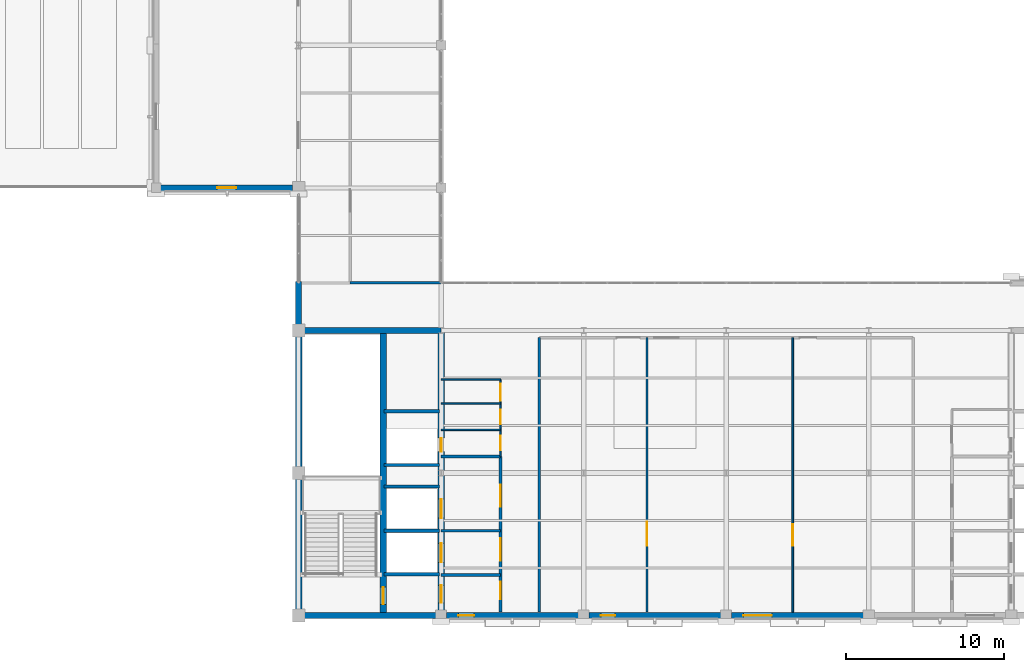
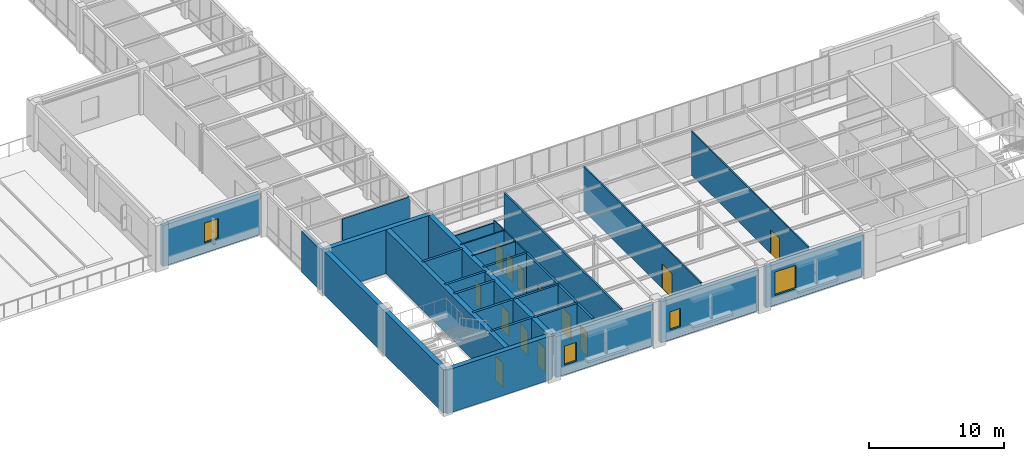
# One storey, part 80 of 97: 27 walls, 13 doors, 4 windows, 17 openings.
"""IFC4 building model written with IfcOpenShell, lengths in metres."""

from ifc_helpers import new_model, si_unit, direction, frame, frame_2d, origin, place, context, subcontext, project, spatial, rectangle, extrude, material, layer, layer_set, type_object, element, fill, save


model = new_model("IFC4")

# Units and contexts
model_context = context("Model", 3, precision=1e-05, world=origin(), true_north=direction((0.0, 1.0)))
body_context = subcontext(model_context, "Body", "Model", "MODEL_VIEW")
ifc_project = project(units=[si_unit("LENGTHUNIT", "METRE"), si_unit("AREAUNIT", "SQUARE_METRE"), si_unit("VOLUMEUNIT", "CUBIC_METRE"), si_unit("PLANEANGLEUNIT", "RADIAN"), si_unit("MASSUNIT", "GRAM", prefix="KILO")], contexts=[model_context])

# Site, building, storey
site_placement = place(None, origin())
site = spatial("IfcSite", under=ifc_project, at=site_placement, CompositionType="ELEMENT")
building_placement = place(site_placement, origin())
building = spatial("IfcBuilding", under=site, at=building_placement, Name="Lykobir Media Centre", CompositionType="ELEMENT")
storey_placement = place(building_placement, frame((0.0, 0.0, 23.39990234375)))
storey = spatial("IfcBuildingStorey", under=building, at=storey_placement, Name="L05", CompositionType="ELEMENT", Elevation=23.39990234375)

# Wall, opening, window
ifc_material_1 = material(Name="Architectural Ochre Brick", Category="masonry")
ifc_layer_1 = layer(ifc_material_1, 0.360107421875, Name="Architectural Ochre Brick")
ifc_layer_set_1 = layer_set([ifc_layer_1], Name="Architectural Ochre Brick")
wall_type_1 = type_object("IfcWallType", Name="EW-BRK-360", PredefinedType="STANDARD", material=ifc_layer_set_1)
wall_1_placement = place(storey_placement, frame((18.284912109375, 27.0, 0.0), z_axis=(0.0, 0.0, 1.0), x_axis=(1.0, 0.0, 0.0)))
wall_1 = element("IfcWall", 1, at=wall_1_placement, inside=storey, type_object=wall_type_1, Name="Exterior wall WALL-L05-0340", PredefinedType="STANDARD", context=body_context, shape_type="SweptSolid", body=[
    extrude(rectangle(XDim=8.330078125, YDim=0.360107421875, at=frame_2d((4.1650390625, 0.0))), origin(), (0.0, 0.0, 1.0), 3.715087890625),
])
opening_1_placement = place(wall_1_placement, frame((3.56494140625, 0.0, 0.89990234375)))
opening_1 = element("IfcOpeningElement", 2, at=opening_1_placement, cuts=wall_1, Name="Opening WN-1200x1800", PredefinedType="OPENING", context=body_context, shape_type="SweptSolid", body=[
    extrude(rectangle(XDim=1.199951171875, YDim=1.800048828125, at=frame_2d((0.60009765625, 0.89990234375))), frame((0.0, 0.18994140625, 0.0), z_axis=(0.0, -1.0, 0.0), x_axis=(1.0, 0.0, 0.0)), (0.0, 0.0, 1.0), 0.380126953125),
])
ifc_material_2 = material(Name="Low-E Laminated Triple Glazing", Category="glass")
window_type_1 = type_object("IfcWindowType", Name="WN-1200x1800", PartitioningType="SINGLE_PANEL", PredefinedType="WINDOW", material=ifc_material_2)
window_1_placement = place(opening_1_placement, origin())
window_1 = element("IfcWindow", 3, at=window_1_placement, inside=storey, type_object=window_type_1, Name="Window WIN-L05-0148", OverallHeight=1.800048828125, OverallWidth=1.199951171875, PartitioningType="SINGLE_PANEL", PredefinedType="WINDOW", context=body_context, shape_type="SweptSolid", body=[
    extrude(rectangle(XDim=1.199951171875, YDim=1.800048828125, at=frame_2d((0.60009765625, 0.89990234375))), frame((0.0, 0.030029296875, 0.0), z_axis=(0.0, -1.0, 0.0), x_axis=(1.0, 0.0, 0.0)), (0.0, 0.0, 1.0), 0.06005859375),
])
fill(opening_1, window_1)

# Wall
wall_2_placement = place(storey_placement, frame((27.0, 21.074951171875, 0.0), z_axis=(0.0, 0.0, 1.0), x_axis=(0.0, -1.0, 0.0)))
element("IfcWall", 4, at=wall_2_placement, inside=storey, type_object=wall_type_1, Name="Exterior wall WALL-L05-0341", PredefinedType="STANDARD", context=body_context, shape_type="SweptSolid", body=[
    extrude(rectangle(XDim=2.68994140625, YDim=0.360107421875, at=frame_2d((1.344970703125, 0.0))), origin(), (0.0, 0.0, 1.0), 3.715087890625),
])

# Wall, opening, window
wall_3_placement = place(storey_placement, frame((36.3349609375, 0.0, 0.0), z_axis=(0.0, 0.0, 1.0), x_axis=(1.0, 0.0, 0.0)))
wall_3 = element("IfcWall", 5, at=wall_3_placement, inside=storey, type_object=wall_type_1, Name="Exterior wall WALL-L05-0342", PredefinedType="STANDARD", context=body_context, shape_type="SweptSolid", body=[
    extrude(rectangle(XDim=8.330078125, YDim=0.360107421875, at=frame_2d((4.1650390625, 0.0))), origin(), (0.0, 0.0, 1.0), 3.715087890625),
])
opening_2_placement = place(wall_3_placement, frame((0.75, 0.0, 0.89990234375)))
opening_2 = element("IfcOpeningElement", 6, at=opening_2_placement, cuts=wall_3, Name="Opening WN-1000x1700", PredefinedType="OPENING", context=body_context, shape_type="SweptSolid", body=[
    extrude(rectangle(XDim=1.0, YDim=1.699951171875, at=frame_2d((0.5, 0.85009765625))), frame((0.0, 0.18994140625, 0.0), z_axis=(0.0, -1.0, 0.0), x_axis=(1.0, 0.0, 0.0)), (0.0, 0.0, 1.0), 0.380126953125),
])
window_type_2 = type_object("IfcWindowType", Name="WN-1000x1700", PartitioningType="SINGLE_PANEL", PredefinedType="WINDOW", material=ifc_material_2)
window_2_placement = place(opening_2_placement, origin())
window_2 = element("IfcWindow", 7, at=window_2_placement, inside=storey, type_object=window_type_2, Name="Window WIN-L05-0149", OverallHeight=1.699951171875, OverallWidth=1.0, PartitioningType="SINGLE_PANEL", PredefinedType="WINDOW", context=body_context, shape_type="SweptSolid", body=[
    extrude(rectangle(XDim=1.0, YDim=1.699951171875, at=frame_2d((0.5, 0.85009765625))), frame((0.0, 0.030029296875, 0.0), z_axis=(0.0, -1.0, 0.0), x_axis=(1.0, 0.0, 0.0)), (0.0, 0.0, 1.0), 0.06005859375),
])
fill(opening_2, window_2)

wall_4_placement = place(storey_placement, frame((45.3349609375, 0.0, 0.0), z_axis=(0.0, 0.0, 1.0), x_axis=(1.0, 0.0, 0.0)))
wall_4 = element("IfcWall", 8, at=wall_4_placement, inside=storey, type_object=wall_type_1, Name="Exterior wall WALL-L05-0343", PredefinedType="STANDARD", context=body_context, shape_type="SweptSolid", body=[
    extrude(rectangle(XDim=8.330078125, YDim=0.360107421875, at=frame_2d((4.1650390625, 0.0))), origin(), (0.0, 0.0, 1.0), 3.715087890625),
])
opening_3_placement = place(wall_4_placement, frame((0.75, 0.0, 0.89990234375)))
opening_3 = element("IfcOpeningElement", 9, at=opening_3_placement, cuts=wall_4, Name="Opening WN-0900x1650", PredefinedType="OPENING", context=body_context, shape_type="SweptSolid", body=[
    extrude(rectangle(XDim=0.89990234375, YDim=1.64990234375, at=frame_2d((0.449951171875, 0.824951171875))), frame((0.0, 0.18994140625, 0.0), z_axis=(0.0, -1.0, 0.0), x_axis=(1.0, 0.0, 0.0)), (0.0, 0.0, 1.0), 0.380126953125),
])
window_type_3 = type_object("IfcWindowType", Name="WN-0900x1650", PartitioningType="SINGLE_PANEL", PredefinedType="WINDOW", material=ifc_material_2)
window_3_placement = place(opening_3_placement, origin())
window_3 = element("IfcWindow", 10, at=window_3_placement, inside=storey, type_object=window_type_3, Name="Window WIN-L05-0150", OverallHeight=1.64990234375, OverallWidth=0.89990234375, PartitioningType="SINGLE_PANEL", PredefinedType="WINDOW", context=body_context, shape_type="SweptSolid", body=[
    extrude(rectangle(XDim=0.89990234375, YDim=1.64990234375, at=frame_2d((0.449951171875, 0.824951171875))), frame((0.0, 0.030029296875, 0.0), z_axis=(0.0, -1.0, 0.0), x_axis=(1.0, 0.0, 0.0)), (0.0, 0.0, 1.0), 0.06005859375),
])
fill(opening_3, window_3)

wall_5_placement = place(storey_placement, frame((54.3349609375, 0.0, 0.0), z_axis=(0.0, 0.0, 1.0), x_axis=(1.0, 0.0, 0.0)))
wall_5 = element("IfcWall", 11, at=wall_5_placement, inside=storey, type_object=wall_type_1, Name="Exterior wall WALL-L05-0344", PredefinedType="STANDARD", context=body_context, shape_type="SweptSolid", body=[
    extrude(rectangle(XDim=8.330078125, YDim=0.360107421875, at=frame_2d((4.1650390625, 0.0))), origin(), (0.0, 0.0, 1.0), 3.715087890625),
])
opening_4_placement = place(wall_5_placement, frame((0.75, 0.0, 0.89990234375)))
opening_4 = element("IfcOpeningElement", 12, at=opening_4_placement, cuts=wall_5, Name="Opening WN-1800x2100", PredefinedType="OPENING", context=body_context, shape_type="SweptSolid", body=[
    extrude(rectangle(XDim=1.800048828125, YDim=2.10009765625, at=frame_2d((0.89990234375, 1.050048828125))), frame((0.0, 0.18994140625, 0.0), z_axis=(0.0, -1.0, 0.0), x_axis=(1.0, 0.0, 0.0)), (0.0, 0.0, 1.0), 0.380126953125),
])
window_type_4 = type_object("IfcWindowType", Name="WN-1800x2100", PartitioningType="SINGLE_PANEL", PredefinedType="WINDOW", material=ifc_material_2)
window_4_placement = place(opening_4_placement, origin())
window_4 = element("IfcWindow", 13, at=window_4_placement, inside=storey, type_object=window_type_4, Name="Window WIN-L05-0151", OverallHeight=2.10009765625, OverallWidth=1.800048828125, PartitioningType="SINGLE_PANEL", PredefinedType="WINDOW", context=body_context, shape_type="SweptSolid", body=[
    extrude(rectangle(XDim=1.800048828125, YDim=2.10009765625, at=frame_2d((0.89990234375, 1.050048828125))), frame((0.0, 0.030029296875, 0.0), z_axis=(0.0, -1.0, 0.0), x_axis=(1.0, 0.0, 0.0)), (0.0, 0.0, 1.0), 0.06005859375),
])
fill(opening_4, window_4)

# Walls
ifc_material_3 = material(Name="Acoustic Gypsum Board", Category="gypsum")
ifc_layer_2 = layer(ifc_material_3, 0.159912109375, Name="Acoustic Gypsum Board")
ifc_layer_set_2 = layer_set([ifc_layer_2], Name="Acoustic Gypsum Board")
wall_type_2 = type_object("IfcWallType", Name="IW-COR-160", PredefinedType="PARTITIONING", material=ifc_layer_set_2)
wall_6_placement = place(storey_placement, frame((42.199951171875, 0.219970703125, 0.0), z_axis=(0.0, 0.0, 1.0), x_axis=(0.0, 1.0, 0.0)))
element("IfcWall", 14, at=wall_6_placement, inside=storey, type_object=wall_type_2, Name="Wall IWALL-L05-0755", PredefinedType="PARTITIONING", context=body_context, shape_type="SweptSolid", body=[
    extrude(rectangle(XDim=17.330078125, YDim=0.159912109375, at=frame_2d((8.6650390625, 0.0))), origin(), (0.0, 0.0, 1.0), 3.960205078125),
])
wall_7_placement = place(storey_placement, frame((30.25, 21.0, 0.0), z_axis=(0.0, 0.0, 1.0), x_axis=(1.0, 0.0, 0.0)))
element("IfcWall", 15, at=wall_7_placement, inside=storey, type_object=wall_type_2, Name="Wall IWALL-L05-0760", PredefinedType="PARTITIONING", context=body_context, shape_type="SweptSolid", body=[
    extrude(rectangle(XDim=5.72998046875, YDim=0.159912109375, at=frame_2d((2.864990234375, 0.0))), origin(), (0.0, 0.0, 1.0), 3.705078125),
])

# Wall, openings, doors
ifc_layer_3 = layer(ifc_material_3, 0.179931640625, Name="Acoustic Gypsum Board")
ifc_layer_set_3 = layer_set([ifc_layer_3], Name="Acoustic Gypsum Board")
wall_type_3 = type_object("IfcWallType", Name="IW-FFLOB-180", PredefinedType="PARTITIONING", material=ifc_layer_set_3)
wall_8_placement = place(storey_placement, frame((39.75, 0.219970703125, 0.0), z_axis=(0.0, 0.0, 1.0), x_axis=(0.0, 1.0, 0.0)))
wall_8 = element("IfcWall", 16, at=wall_8_placement, inside=storey, type_object=wall_type_3, Name="Wall IWALL-L05-0119", PredefinedType="PARTITIONING", context=body_context, shape_type="SweptSolid", body=[
    extrude(rectangle(XDim=9.830078125, YDim=0.179931640625, at=frame_2d((4.9150390625, 0.0))), origin(), (0.0, 0.0, 1.0), 3.960205078125),
])
opening_5_placement = place(wall_8_placement, frame((0.800048828125, 0.0, 0.0)))
opening_5 = element("IfcOpeningElement", 17, at=opening_5_placement, cuts=wall_8, Name="Opening D-L05-C1LV", PredefinedType="OPENING", context=body_context, shape_type="SweptSolid", body=[
    extrude(rectangle(XDim=1.10009765625, YDim=2.159912109375, at=frame_2d((0.550048828125, 1.080078125))), frame((0.0, 0.099853515625, 0.0), z_axis=(0.0, -1.0, 0.0), x_axis=(1.0, 0.0, 0.0)), (0.0, 0.0, 1.0), 0.199951171875),
])
opening_6_placement = place(wall_8_placement, frame((3.25, 0.0, 0.0)))
opening_6 = element("IfcOpeningElement", 18, at=opening_6_placement, cuts=wall_8, Name="Opening D-L05-C1PL", PredefinedType="OPENING", context=body_context, shape_type="SweptSolid", body=[
    extrude(rectangle(XDim=1.39990234375, YDim=2.199951171875, at=frame_2d((0.699951171875, 1.10009765625))), frame((0.0, 0.099853515625, 0.0), z_axis=(0.0, -1.0, 0.0), x_axis=(1.0, 0.0, 0.0)), (0.0, 0.0, 1.0), 0.199951171875),
])
opening_7_placement = place(wall_8_placement, frame((6.64990234375, 0.0, 0.0)))
opening_7 = element("IfcOpeningElement", 19, at=opening_7_placement, cuts=wall_8, Name="Opening D-L05-C1FF", PredefinedType="OPENING", context=body_context, shape_type="SweptSolid", body=[
    extrude(rectangle(XDim=1.39990234375, YDim=2.199951171875, at=frame_2d((0.699951171875, 1.10009765625))), frame((0.0, 0.099853515625, 0.0), z_axis=(0.0, -1.0, 0.0), x_axis=(1.0, 0.0, 0.0)), (0.0, 0.0, 1.0), 0.199951171875),
])
ifc_material_4 = material(Name="Acoustic Timber Panelling", Category="wood")
door_type_1 = type_object("IfcDoorType", Name="FD-1100x2160", OperationType="NOTDEFINED", PredefinedType="DOOR", material=ifc_material_4)
door_1_placement = place(opening_5_placement, origin())
door_1 = element("IfcDoor", 20, at=door_1_placement, inside=storey, type_object=door_type_1, Name="Door D-L05-C1LV", OperationType="SINGLE_SWING_RIGHT", OverallHeight=2.159912109375, OverallWidth=1.10009765625, PredefinedType="DOOR", context=body_context, shape_type="SweptSolid", body=[
    extrude(rectangle(XDim=1.10009765625, YDim=2.159912109375, at=frame_2d((0.550048828125, 1.080078125))), frame((0.0, 0.02490234375, 0.0), z_axis=(0.0, -1.0, 0.0), x_axis=(1.0, 0.0, 0.0)), (0.0, 0.0, 1.0), 0.050048828125),
])
fill(opening_5, door_1)
door_type_2 = type_object("IfcDoorType", Name="FD-1400x2200", OperationType="NOTDEFINED", PredefinedType="DOOR", material=ifc_material_4)
door_2_placement = place(opening_6_placement, origin())
door_2 = element("IfcDoor", 21, at=door_2_placement, inside=storey, type_object=door_type_2, Name="Door D-L05-C1PL", OperationType="DOUBLE_DOOR_SINGLE_SWING", OverallHeight=2.199951171875, OverallWidth=1.39990234375, PredefinedType="DOOR", context=body_context, shape_type="SweptSolid", body=[
    extrude(rectangle(XDim=1.39990234375, YDim=2.199951171875, at=frame_2d((0.699951171875, 1.10009765625))), frame((0.0, 0.02490234375, 0.0), z_axis=(0.0, -1.0, 0.0), x_axis=(1.0, 0.0, 0.0)), (0.0, 0.0, 1.0), 0.050048828125),
])
fill(opening_6, door_2)
door_3_placement = place(opening_7_placement, origin())
door_3 = element("IfcDoor", 22, at=door_3_placement, inside=storey, type_object=door_type_2, Name="Door D-L05-C1FF", OperationType="DOUBLE_DOOR_SINGLE_SWING", OverallHeight=2.199951171875, OverallWidth=1.39990234375, PredefinedType="DOOR", context=body_context, shape_type="SweptSolid", body=[
    extrude(rectangle(XDim=1.39990234375, YDim=2.199951171875, at=frame_2d((0.699951171875, 1.10009765625))), frame((0.0, 0.02490234375, 0.0), z_axis=(0.0, -1.0, 0.0), x_axis=(1.0, 0.0, 0.0)), (0.0, 0.0, 1.0), 0.050048828125),
])
fill(opening_7, door_3)

# Walls
for number, where, z_axis, x_axis, name in (
    (23, (36.0, 2.550048828125, 0.0), (0.0, 0.0, 1.0), (1.0, 0.0, 0.0), "Wall IWALL-L05-0120"),
    (24, (36.0, 5.35009765625, 0.0), (0.0, 0.0, 1.0), (1.0, 0.0, 0.0), "Wall IWALL-L05-0121"),
    (25, (36.0, 10.050048828125, 0.0), (0.0, 0.0, 1.0), (1.0, 0.0, 0.0), "Wall IWALL-L05-0122"),
):
    element("IfcWall", number, at=place(storey_placement, frame(where, z_axis=z_axis, x_axis=x_axis)), inside=storey, type_object=wall_type_3, Name=name, PredefinedType="PARTITIONING", context=body_context, shape_type="SweptSolid", body=[
        extrude(rectangle(XDim=3.75, YDim=0.179931640625, at=frame_2d((1.875, 0.0))), origin(), (0.0, 0.0, 1.0), 3.960205078125),
    ])

# Wall, opening, door
ifc_layer_4 = layer(ifc_material_3, 0.110107421875, Name="Acoustic Gypsum Board")
ifc_layer_set_4 = layer_set([ifc_layer_4], Name="Acoustic Gypsum Board")
wall_type_4 = type_object("IfcWallType", Name="IW-RM-110", PredefinedType="PARTITIONING", material=ifc_layer_set_4)
wall_9_placement = place(storey_placement, frame((58.199951171875, 0.219970703125, 0.0), z_axis=(0.0, 0.0, 1.0), x_axis=(0.0, 1.0, 0.0)))
wall_9 = element("IfcWall", 26, at=wall_9_placement, inside=storey, type_object=wall_type_4, Name="Wall IWALL-L05-0758", PredefinedType="PARTITIONING", context=body_context, shape_type="SweptSolid", body=[
    extrude(rectangle(XDim=17.330078125, YDim=0.110107421875, at=frame_2d((8.6650390625, 0.0))), origin(), (0.0, 0.0, 1.0), 3.960205078125),
])
opening_8_placement = place(wall_9_placement, frame((4.199951171875, 0.0, 0.0)))
opening_8 = element("IfcOpeningElement", 27, at=opening_8_placement, cuts=wall_9, Name="Opening D-L05-V7S2", PredefinedType="OPENING", context=body_context, shape_type="SweptSolid", body=[
    extrude(rectangle(XDim=1.35009765625, YDim=2.179931640625, at=frame_2d((0.675048828125, 1.08984375))), frame((0.0, 0.06494140625, 0.0), z_axis=(0.0, -1.0, 0.0), x_axis=(1.0, 0.0, 0.0)), (0.0, 0.0, 1.0), 0.130126953125),
])
door_type_3 = type_object("IfcDoorType", Name="ID-1350x2180", OperationType="NOTDEFINED", PredefinedType="DOOR", material=ifc_material_4)
door_4_placement = place(opening_8_placement, origin())
door_4 = element("IfcDoor", 28, at=door_4_placement, inside=storey, type_object=door_type_3, Name="Door D-L05-V7S2", OperationType="SINGLE_SWING_RIGHT", OverallHeight=2.179931640625, OverallWidth=1.35009765625, PredefinedType="DOOR", context=body_context, shape_type="SweptSolid", body=[
    extrude(rectangle(XDim=1.35009765625, YDim=2.179931640625, at=frame_2d((0.675048828125, 1.08984375))), frame((0.0, 0.02490234375, 0.0), z_axis=(0.0, -1.0, 0.0), x_axis=(1.0, 0.0, 0.0)), (0.0, 0.0, 1.0), 0.050048828125),
])
fill(opening_8, door_4)

ifc_layer_5 = layer(ifc_material_3, 0.125, Name="Acoustic Gypsum Board")
ifc_layer_set_5 = layer_set([ifc_layer_5], Name="Acoustic Gypsum Board")
wall_type_5 = type_object("IfcWallType", Name="IW-RM-125", PredefinedType="PARTITIONING", material=ifc_layer_set_5)
wall_10_placement = place(storey_placement, frame((49.0, 0.219970703125, 0.0), z_axis=(0.0, 0.0, 1.0), x_axis=(0.0, 1.0, 0.0)))
wall_10 = element("IfcWall", 29, at=wall_10_placement, inside=storey, type_object=wall_type_5, Name="Wall IWALL-L05-0757", PredefinedType="PARTITIONING", context=body_context, shape_type="SweptSolid", body=[
    extrude(rectangle(XDim=17.330078125, YDim=0.125, at=frame_2d((8.6650390625, 0.0))), origin(), (0.0, 0.0, 1.0), 3.960205078125),
])
opening_9_placement = place(wall_10_placement, frame((4.199951171875, 0.0, 0.0)))
opening_9 = element("IfcOpeningElement", 30, at=opening_9_placement, cuts=wall_10, Name="Opening D-L05-V7S1", PredefinedType="OPENING", context=body_context, shape_type="SweptSolid", body=[
    extrude(rectangle(XDim=1.5, YDim=2.199951171875, at=frame_2d((0.75, 1.10009765625))), frame((0.0, 0.072509765625, 0.0), z_axis=(0.0, -1.0, 0.0), x_axis=(1.0, 0.0, 0.0)), (0.0, 0.0, 1.0), 0.14501953125),
])
door_type_4 = type_object("IfcDoorType", Name="ID-1500x2200", OperationType="NOTDEFINED", PredefinedType="DOOR", material=ifc_material_4)
door_5_placement = place(opening_9_placement, origin())
door_5 = element("IfcDoor", 31, at=door_5_placement, inside=storey, type_object=door_type_4, Name="Door D-L05-V7S1", OperationType="SINGLE_SWING_RIGHT", OverallHeight=2.199951171875, OverallWidth=1.5, PredefinedType="DOOR", context=body_context, shape_type="SweptSolid", body=[
    extrude(rectangle(XDim=1.5, YDim=2.199951171875, at=frame_2d((0.75, 1.10009765625))), frame((0.0, 0.02490234375, 0.0), z_axis=(0.0, -1.0, 0.0), x_axis=(1.0, 0.0, 0.0)), (0.0, 0.0, 1.0), 0.050048828125),
])
fill(opening_9, door_5)

# Walls
ifc_material_5 = material(Name="Concrete C30/37", Category="concrete")
ifc_layer_6 = layer(ifc_material_5, 0.199951171875, Name="Concrete C30/37")
ifc_layer_set_6 = layer_set([ifc_layer_6], Name="Concrete C30/37")
wall_type_6 = type_object("IfcWallType", Name="IW-SHAFT-200", PredefinedType="PARTITIONING", material=ifc_layer_set_6)
for number, where, z_axis, x_axis, name in (
    (32, (32.39990234375, 2.60009765625, 0.0), (0.0, 0.0, 1.0), (1.0, 0.0, 0.0), "Wall IWALL-L05-0114"),
    (33, (32.39990234375, 5.35009765625, 0.0), (0.0, 0.0, 1.0), (1.0, 0.0, 0.0), "Wall IWALL-L05-0115"),
    (34, (32.39990234375, 8.14990234375, 0.0), (0.0, 0.0, 1.0), (1.0, 0.0, 0.0), "Wall IWALL-L05-0116"),
    (35, (32.39990234375, 9.5, 0.0), (0.0, 0.0, 1.0), (1.0, 0.0, 0.0), "Wall IWALL-L05-0117"),
    (36, (32.39990234375, 12.89990234375, 0.0), (0.0, 0.0, 1.0), (1.0, 0.0, 0.0), "Wall IWALL-L05-0118"),
):
    element("IfcWall", number, at=place(storey_placement, frame(where, z_axis=z_axis, x_axis=x_axis)), inside=storey, type_object=wall_type_6, Name=name, PredefinedType="PARTITIONING", context=body_context, shape_type="SweptSolid", body=[
        extrude(rectangle(XDim=3.5, YDim=0.199951171875, at=frame_2d((1.75, 0.0))), origin(), (0.0, 0.0, 1.0), 3.960205078125),
    ])

# Wall, openings, doors
ifc_layer_7 = layer(ifc_material_3, 0.094970703125, Name="Acoustic Gypsum Board")
ifc_layer_set_7 = layer_set([ifc_layer_7], Name="Acoustic Gypsum Board")
wall_type_7 = type_object("IfcWallType", Name="IW-WC-095", PredefinedType="PARTITIONING", material=ifc_layer_set_7)
wall_11_placement = place(storey_placement, frame((39.75, 10.050048828125, 0.0), z_axis=(0.0, 0.0, 1.0), x_axis=(0.0, 1.0, 0.0)))
wall_11 = element("IfcWall", 37, at=wall_11_placement, inside=storey, type_object=wall_type_7, Name="Wall IWALL-L05-0123", PredefinedType="PARTITIONING", context=body_context, shape_type="SweptSolid", body=[
    extrude(rectangle(XDim=4.849853515625, YDim=0.094970703125, at=frame_2d((2.4248046875, 0.0))), origin(), (0.0, 0.0, 1.0), 3.960205078125),
])
opening_10_placement = place(wall_11_placement, frame((0.3798828125, 0.0, 0.0)))
opening_10 = element("IfcOpeningElement", 38, at=opening_10_placement, cuts=wall_11, Name="Opening D-L05-WCM", PredefinedType="OPENING", context=body_context, shape_type="SweptSolid", body=[
    extrude(rectangle(XDim=0.919921875, YDim=2.10009765625, at=frame_2d((0.4599609375, 1.050048828125))), frame((0.0, 0.057373046875, 0.0), z_axis=(0.0, -1.0, 0.0), x_axis=(1.0, 0.0, 0.0)), (0.0, 0.0, 1.0), 0.114990234375),
])
opening_11_placement = place(wall_11_placement, frame((2.02001953125, 0.0, 0.0)))
opening_11 = element("IfcOpeningElement", 39, at=opening_11_placement, cuts=wall_11, Name="Opening D-L05-WCF", PredefinedType="OPENING", context=body_context, shape_type="SweptSolid", body=[
    extrude(rectangle(XDim=0.919921875, YDim=2.10009765625, at=frame_2d((0.4599609375, 1.050048828125))), frame((0.0, 0.057373046875, 0.0), z_axis=(0.0, -1.0, 0.0), x_axis=(1.0, 0.0, 0.0)), (0.0, 0.0, 1.0), 0.114990234375),
])
opening_12_placement = place(wall_11_placement, frame((3.52001953125, 0.0, 0.0)))
opening_12 = element("IfcOpeningElement", 40, at=opening_12_placement, cuts=wall_11, Name="Opening D-L05-WCA1", PredefinedType="OPENING", context=body_context, shape_type="SweptSolid", body=[
    extrude(rectangle(XDim=1.050048828125, YDim=2.1298828125, at=frame_2d((0.52490234375, 1.06494140625))), frame((0.0, 0.057373046875, 0.0), z_axis=(0.0, -1.0, 0.0), x_axis=(1.0, 0.0, 0.0)), (0.0, 0.0, 1.0), 0.114990234375),
])
door_type_5 = type_object("IfcDoorType", Name="ID-0920x2100", OperationType="NOTDEFINED", PredefinedType="DOOR", material=ifc_material_4)
door_6_placement = place(opening_10_placement, origin())
door_6 = element("IfcDoor", 41, at=door_6_placement, inside=storey, type_object=door_type_5, Name="Door D-L05-WCM", OperationType="SINGLE_SWING_LEFT", OverallHeight=2.10009765625, OverallWidth=0.919921875, PredefinedType="DOOR", context=body_context, shape_type="SweptSolid", body=[
    extrude(rectangle(XDim=0.919921875, YDim=2.10009765625, at=frame_2d((0.4599609375, 1.050048828125))), frame((0.0, 0.02490234375, 0.0), z_axis=(0.0, -1.0, 0.0), x_axis=(1.0, 0.0, 0.0)), (0.0, 0.0, 1.0), 0.050048828125),
])
fill(opening_10, door_6)
door_7_placement = place(opening_11_placement, origin())
door_7 = element("IfcDoor", 42, at=door_7_placement, inside=storey, type_object=door_type_5, Name="Door D-L05-WCF", OperationType="SINGLE_SWING_RIGHT", OverallHeight=2.10009765625, OverallWidth=0.919921875, PredefinedType="DOOR", context=body_context, shape_type="SweptSolid", body=[
    extrude(rectangle(XDim=0.919921875, YDim=2.10009765625, at=frame_2d((0.4599609375, 1.050048828125))), frame((0.0, 0.02490234375, 0.0), z_axis=(0.0, -1.0, 0.0), x_axis=(1.0, 0.0, 0.0)), (0.0, 0.0, 1.0), 0.050048828125),
])
fill(opening_11, door_7)
door_type_6 = type_object("IfcDoorType", Name="ID-1050x2130", OperationType="NOTDEFINED", PredefinedType="DOOR", material=ifc_material_4)
door_8_placement = place(opening_12_placement, origin())
door_8 = element("IfcDoor", 43, at=door_8_placement, inside=storey, type_object=door_type_6, Name="Door D-L05-WCA1", OperationType="SINGLE_SWING_LEFT", OverallHeight=2.1298828125, OverallWidth=1.050048828125, PredefinedType="DOOR", context=body_context, shape_type="SweptSolid", body=[
    extrude(rectangle(XDim=1.050048828125, YDim=2.1298828125, at=frame_2d((0.52490234375, 1.06494140625))), frame((0.0, 0.02490234375, 0.0), z_axis=(0.0, -1.0, 0.0), x_axis=(1.0, 0.0, 0.0)), (0.0, 0.0, 1.0), 0.050048828125),
])
fill(opening_12, door_8)

# Walls
for number, where, z_axis, x_axis, name in (
    (44, (36.0, 11.719970703125, 0.0), (0.0, 0.0, 1.0), (1.0, 0.0, 0.0), "Wall IWALL-L05-0124"),
    (45, (36.0, 13.3798828125, 0.0), (0.0, 0.0, 1.0), (1.0, 0.0, 0.0), "Wall IWALL-L05-0125"),
):
    element("IfcWall", number, at=place(storey_placement, frame(where, z_axis=z_axis, x_axis=x_axis)), inside=storey, type_object=wall_type_7, Name=name, PredefinedType="PARTITIONING", context=body_context, shape_type="SweptSolid", body=[
        extrude(rectangle(XDim=3.75, YDim=0.094970703125, at=frame_2d((1.875, 0.0))), origin(), (0.0, 0.0, 1.0), 3.960205078125),
    ])
wall_12_placement = place(storey_placement, frame((36.0, 14.89990234375, 0.0), z_axis=(0.0, 0.0, 1.0), x_axis=(1.0, 0.0, 0.0)))
element("IfcWall", 46, at=wall_12_placement, inside=storey, type_object=wall_type_7, Name="Wall IWALL-L05-0126", PredefinedType="PARTITIONING", context=body_context, shape_type="SweptSolid", body=[
    extrude(rectangle(XDim=3.75, YDim=0.094970703125, at=frame_2d((1.875, 0.0))), origin(), (0.0, 0.0, 1.0), 3.705078125),
])

# Wall, openings, doors
ifc_material_6 = material(Name="Concrete C40/50", Category="concrete")
ifc_layer_8 = layer(ifc_material_6, 0.39990234375, Name="Concrete C40/50")
ifc_layer_set_8 = layer_set([ifc_layer_8], Name="Concrete C40/50")
wall_type_8 = type_object("IfcWallType", Name="SW-CORE-400", PredefinedType="SHEAR", material=ifc_layer_set_8)
wall_13_placement = place(storey_placement, frame((36.0, 0.0, 0.0), z_axis=(0.0, 0.0, 1.0), x_axis=(0.0, 1.0, 0.0)))
wall_13 = element("IfcWall", 47, at=wall_13_placement, inside=storey, type_object=wall_type_8, Name="Wall IWALL-L05-0110", PredefinedType="SHEAR", context=body_context, shape_type="SweptSolid", body=[
    extrude(rectangle(XDim=18.0, YDim=0.39990234375, at=frame_2d((9.0, 0.0))), origin(), (0.0, 0.0, 1.0), 3.960205078125),
])
opening_13_placement = place(wall_13_placement, frame((0.800048828125, 0.0, 0.0)))
opening_13 = element("IfcOpeningElement", 48, at=opening_13_placement, cuts=wall_13, Name="Opening D-L05-C1VB", PredefinedType="OPENING", context=body_context, shape_type="SweptSolid", body=[
    extrude(rectangle(XDim=1.10009765625, YDim=2.159912109375, at=frame_2d((0.550048828125, 1.080078125))), frame((0.0, 0.2099609375, 0.0), z_axis=(0.0, -1.0, 0.0), x_axis=(1.0, 0.0, 0.0)), (0.0, 0.0, 1.0), 0.419921875),
])
opening_14_placement = place(wall_13_placement, frame((3.35009765625, 0.0, 0.0)))
opening_14 = element("IfcOpeningElement", 49, at=opening_14_placement, cuts=wall_13, Name="Opening LD-L05-PL-1", PredefinedType="OPENING", context=body_context, shape_type="SweptSolid", body=[
    extrude(rectangle(XDim=1.199951171875, YDim=2.199951171875, at=frame_2d((0.60009765625, 1.10009765625))), frame((0.0, 0.2099609375, 0.0), z_axis=(0.0, -1.0, 0.0), x_axis=(1.0, 0.0, 0.0)), (0.0, 0.0, 1.0), 0.419921875),
])
opening_15_placement = place(wall_13_placement, frame((6.14990234375, 0.0, 0.0)))
opening_15 = element("IfcOpeningElement", 50, at=opening_15_placement, cuts=wall_13, Name="Opening LD-L05-FL-1", PredefinedType="OPENING", context=body_context, shape_type="SweptSolid", body=[
    extrude(rectangle(XDim=1.199951171875, YDim=2.199951171875, at=frame_2d((0.60009765625, 1.10009765625))), frame((0.0, 0.2099609375, 0.0), z_axis=(0.0, -1.0, 0.0), x_axis=(1.0, 0.0, 0.0)), (0.0, 0.0, 1.0), 0.419921875),
])
opening_16_placement = place(wall_13_placement, frame((10.35009765625, 0.0, 0.0)))
opening_16 = element("IfcOpeningElement", 51, at=opening_16_placement, cuts=wall_13, Name="Opening D-L05-C1RS", PredefinedType="OPENING", context=body_context, shape_type="SweptSolid", body=[
    extrude(rectangle(XDim=0.85009765625, YDim=2.10009765625, at=frame_2d((0.425048828125, 1.050048828125))), frame((0.0, 0.2099609375, 0.0), z_axis=(0.0, -1.0, 0.0), x_axis=(1.0, 0.0, 0.0)), (0.0, 0.0, 1.0), 0.419921875),
])
ifc_material_7 = material(Name="Anodized Aluminium AW-6060", Category="aluminium")
door_type_7 = type_object("IfcDoorType", Name="FD-0850x2100", OperationType="NOTDEFINED", PredefinedType="DOOR", material=ifc_material_7)
door_9_placement = place(opening_16_placement, origin())
door_9 = element("IfcDoor", 52, at=door_9_placement, inside=storey, type_object=door_type_7, Name="Riser access door C1 L05", OperationType="SINGLE_SWING_LEFT", OverallHeight=2.10009765625, OverallWidth=0.85009765625, PredefinedType="DOOR", context=body_context, shape_type="SweptSolid", body=[
    extrude(rectangle(XDim=0.85009765625, YDim=2.10009765625, at=frame_2d((0.425048828125, 1.050048828125))), frame((0.0, 0.02490234375, 0.0), z_axis=(0.0, -1.0, 0.0), x_axis=(1.0, 0.0, 0.0)), (0.0, 0.0, 1.0), 0.050048828125),
])
fill(opening_16, door_9)
door_10_placement = place(opening_13_placement, origin())
door_10 = element("IfcDoor", 53, at=door_10_placement, inside=storey, type_object=door_type_1, Name="Door D-L05-C1VB", OperationType="SINGLE_SWING_RIGHT", OverallHeight=2.159912109375, OverallWidth=1.10009765625, PredefinedType="DOOR", context=body_context, shape_type="SweptSolid", body=[
    extrude(rectangle(XDim=1.10009765625, YDim=2.159912109375, at=frame_2d((0.550048828125, 1.080078125))), frame((0.0, 0.02490234375, 0.0), z_axis=(0.0, -1.0, 0.0), x_axis=(1.0, 0.0, 0.0)), (0.0, 0.0, 1.0), 0.050048828125),
])
fill(opening_13, door_10)
door_type_8 = type_object("IfcDoorType", Name="LD-1200x2200", OperationType="NOTDEFINED", PredefinedType="DOOR", material=ifc_material_7)
door_11_placement = place(opening_14_placement, origin())
door_11 = element("IfcDoor", 54, at=door_11_placement, inside=storey, type_object=door_type_8, Name="Lift landing door PL-1 L05", OperationType="SLIDING_TO_LEFT", OverallHeight=2.199951171875, OverallWidth=1.199951171875, PredefinedType="DOOR", context=body_context, shape_type="SweptSolid", body=[
    extrude(rectangle(XDim=1.199951171875, YDim=2.199951171875, at=frame_2d((0.60009765625, 1.10009765625))), frame((0.0, 0.02490234375, 0.0), z_axis=(0.0, -1.0, 0.0), x_axis=(1.0, 0.0, 0.0)), (0.0, 0.0, 1.0), 0.050048828125),
])
fill(opening_14, door_11)
door_12_placement = place(opening_15_placement, origin())
door_12 = element("IfcDoor", 55, at=door_12_placement, inside=storey, type_object=door_type_8, Name="Firefighting lift landing door FL-1 L05", OperationType="SLIDING_TO_LEFT", OverallHeight=2.199951171875, OverallWidth=1.199951171875, PredefinedType="DOOR", context=body_context, shape_type="SweptSolid", body=[
    extrude(rectangle(XDim=1.199951171875, YDim=2.199951171875, at=frame_2d((0.60009765625, 1.10009765625))), frame((0.0, 0.02490234375, 0.0), z_axis=(0.0, -1.0, 0.0), x_axis=(1.0, 0.0, 0.0)), (0.0, 0.0, 1.0), 0.050048828125),
])
fill(opening_15, door_12)

# Wall, opening, door
wall_14_placement = place(storey_placement, frame((32.35009765625, 0.0, 0.0), z_axis=(0.0, 0.0, 1.0), x_axis=(0.0, 1.0, 0.0)))
wall_14 = element("IfcWall", 56, at=wall_14_placement, inside=storey, type_object=wall_type_8, Name="Wall IWALL-L05-0113", PredefinedType="SHEAR", context=body_context, shape_type="SweptSolid", body=[
    extrude(rectangle(XDim=18.0, YDim=0.39990234375, at=frame_2d((9.0, 0.0))), origin(), (0.0, 0.0, 1.0), 3.960205078125),
])
opening_17_placement = place(wall_14_placement, frame((0.699951171875, 0.0, 0.0)))
opening_17 = element("IfcOpeningElement", 57, at=opening_17_placement, cuts=wall_14, Name="Opening D-L05-C1ST", PredefinedType="OPENING", context=body_context, shape_type="SweptSolid", body=[
    extrude(rectangle(XDim=1.10009765625, YDim=2.159912109375, at=frame_2d((0.550048828125, 1.080078125))), frame((0.0, 0.2099609375, 0.0), z_axis=(0.0, -1.0, 0.0), x_axis=(1.0, 0.0, 0.0)), (0.0, 0.0, 1.0), 0.419921875),
])
door_13_placement = place(opening_17_placement, frame((1.10009765625, 0.0, 0.0), z_axis=(0.0, 0.0, 1.0), x_axis=(-1.0, 0.0, 0.0)))
door_13 = element("IfcDoor", 58, at=door_13_placement, inside=storey, type_object=door_type_1, Name="L05 ST-1 stairwell fire door", OperationType="SINGLE_SWING_LEFT", OverallHeight=2.159912109375, OverallWidth=1.10009765625, PredefinedType="DOOR", context=body_context, shape_type="SweptSolid", body=[
    extrude(rectangle(XDim=1.10009765625, YDim=2.159912109375, at=frame_2d((0.550048828125, 1.080078125))), frame((0.0, 0.02490234375, 0.0), z_axis=(0.0, -1.0, 0.0), x_axis=(1.0, 0.0, 0.0)), (0.0, 0.0, 1.0), 0.050048828125),
])
fill(opening_17, door_13)

# Walls
ifc_layer_9 = layer(ifc_material_6, 0.39990234375, Name="Concrete C40/50")
ifc_layer_set_9 = layer_set([ifc_layer_9], Name="Concrete C40/50")
wall_type_9 = type_object("IfcWallType", Name="SW-CORE-400-E", PredefinedType="SHEAR", material=ifc_layer_set_9)
for number, where, z_axis, x_axis, name in (
    (59, (27.0, 0.0, 0.0), (0.0, 0.0, 1.0), (1.0, 0.0, 0.0), "Wall IWALL-L05-0109"),
    (60, (36.0, 18.0, 0.0), (0.0, 0.0, 1.0), (-1.0, 0.0, 0.0), "Wall IWALL-L05-0111"),
):
    element("IfcWall", number, at=place(storey_placement, frame(where, z_axis=z_axis, x_axis=x_axis)), inside=storey, type_object=wall_type_9, Name=name, PredefinedType="SHEAR", context=body_context, shape_type="SweptSolid", body=[
        extrude(rectangle(XDim=9.0, YDim=0.39990234375, at=frame_2d((4.5, 0.0))), origin(), (0.0, 0.0, 1.0), 3.960205078125),
    ])
wall_15_placement = place(storey_placement, frame((27.0, 18.0, 0.0), z_axis=(0.0, 0.0, 1.0), x_axis=(0.0, -1.0, 0.0)))
element("IfcWall", 61, at=wall_15_placement, inside=storey, type_object=wall_type_9, Name="Wall IWALL-L05-0112", PredefinedType="SHEAR", context=body_context, shape_type="SweptSolid", body=[
    extrude(rectangle(XDim=18.0, YDim=0.39990234375, at=frame_2d((9.0, 0.0))), origin(), (0.0, 0.0, 1.0), 3.960205078125),
])

save(model, "model.ifc")
